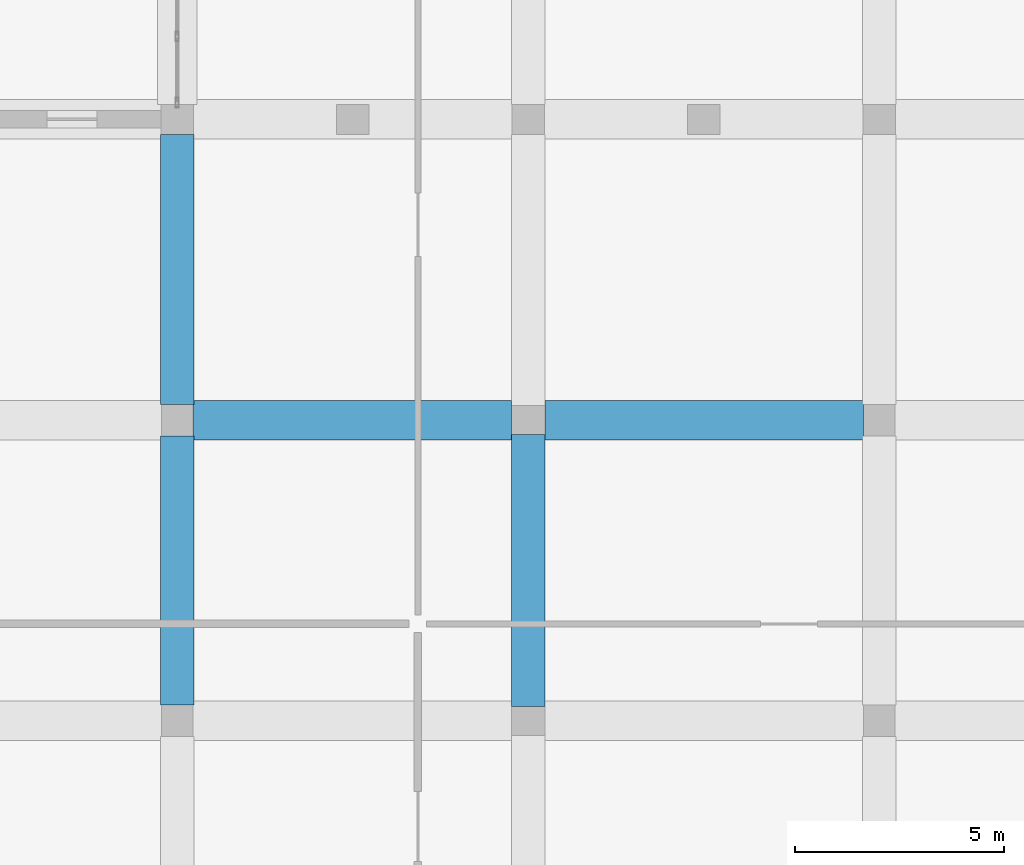
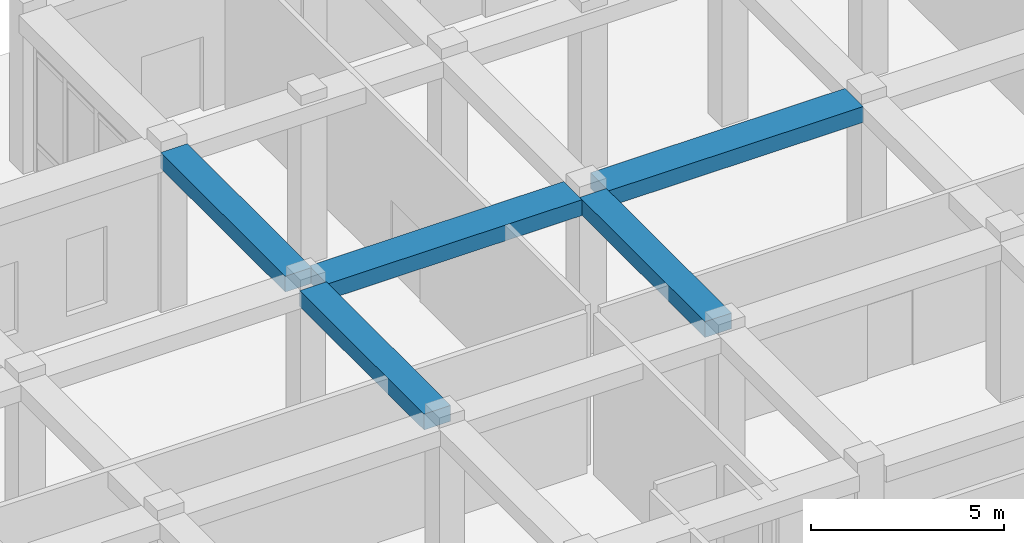
# One storey, part 33 of 84: 5 beams.
"""IFC4 building model written with IfcOpenShell, lengths in metres."""

from ifc_helpers import new_model, si_unit, derived_unit, direction, frame, origin, origin_2d, place, context, subcontext, project, spatial, rectangle, extrude, material, material_profile, profile_set, type_object, element, save


model = new_model("IFC4")

# Units and contexts
model_context = context("Model", 3, precision=1e-05, world=origin(), true_north=direction((0.0, 1.0)))
body_context = subcontext(model_context, "Body", "Model", "MODEL_VIEW")
ifc_project = project(units=[si_unit("LENGTHUNIT", "METRE"), si_unit("AREAUNIT", "SQUARE_METRE"), si_unit("VOLUMEUNIT", "CUBIC_METRE"), si_unit("PLANEANGLEUNIT", "RADIAN"), si_unit("MASSUNIT", "GRAM", prefix="KILO"), derived_unit("THERMALTRANSMITTANCEUNIT", [(si_unit("POWERUNIT", "WATT"), 1), (si_unit("LENGTHUNIT", "METRE"), -2), (si_unit("THERMODYNAMICTEMPERATUREUNIT", "KELVIN"), -1)])], contexts=[model_context])

# Site, building, storey
site_placement = place(None, origin())
site = spatial("IfcSite", under=ifc_project, at=site_placement, CompositionType="ELEMENT")
building_placement = place(site_placement, origin())
building = spatial("IfcBuilding", under=site, at=building_placement, Name="Veybourne Emporium", CompositionType="ELEMENT")
storey_placement = place(building_placement, origin())
storey = spatial("IfcBuildingStorey", under=building, at=storey_placement, Name="L00", CompositionType="ELEMENT", Elevation=0.0)

# Beams
ifc_material = material(Name="Concrete C32/40", Category="concrete")
ifc_material_profile_1 = material_profile(ifc_material, rectangle(XDim=0.949951171875, YDim=0.5, at=origin_2d()), Name="RC 950x500")
ifc_profile_set_1 = profile_set([ifc_material_profile_1], Name="Concrete C32/40")
beam_type_1 = type_object("IfcBeamType", Name="RCBeam_BB-01", PredefinedType="BEAM", material=ifc_profile_set_1)
for number, where, z_axis, x_axis, name in (
    (1, (50.77490234375, 100.800048828125, 4.830078125), (1.0, 0.0, 0.0), (0.0, 1.0, 0.0), "L00 X-grid beam BB-01 (6,14)"),
    (2, (59.199951171875, 100.800048828125, 4.830078125), (1.0, 0.0, 0.0), (0.0, 1.0, 0.0), "L00 X-grid beam BB-01 (7,14)"),
):
    element("IfcBeam", number, at=place(storey_placement, frame(where, z_axis=z_axis, x_axis=x_axis)), inside=storey, type_object=beam_type_1, Name=name, PredefinedType="BEAM", context=body_context, shape_type="SweptSolid", body=[
        extrude(rectangle(XDim=0.949951171875, YDim=0.5, at=origin_2d()), origin(), (0.0, 0.0, 1.0), 7.625),
    ])
ifc_material_profile_2 = material_profile(ifc_material, rectangle(XDim=0.800048828125, YDim=0.5, at=origin_2d()), Name="RC 800x500")
ifc_profile_set_2 = profile_set([ifc_material_profile_2], Name="Concrete C32/40")
beam_type_2 = type_object("IfcBeamType", Name="RCBeam_BB-02", PredefinedType="BEAM", material=ifc_profile_set_2)
beam_1_placement = place(storey_placement, frame((50.39990234375, 93.97509765625, 4.830078125), z_axis=(0.0, 1.0, 0.0), x_axis=(-1.0, 0.0, 0.0)))
element("IfcBeam", 3, at=beam_1_placement, inside=storey, type_object=beam_type_2, Name="L00 Y-grid beam BB-02 (6,13)", PredefinedType="BEAM", context=body_context, shape_type="SweptSolid", body=[
    extrude(rectangle(XDim=0.800048828125, YDim=0.5, at=origin_2d()), origin(), (0.0, 0.0, 1.0), 6.449951171875),
])
beam_2_placement = place(storey_placement, frame((50.39990234375, 101.175048828125, 4.830078125), z_axis=(0.0, 1.0, 0.0), x_axis=(-1.0, 0.0, 0.0)))
element("IfcBeam", 4, at=beam_2_placement, inside=storey, type_object=beam_type_2, Name="L00 Y-grid beam BB-02 (6,14)", PredefinedType="BEAM", context=body_context, shape_type="SweptSolid", body=[
    extrude(rectangle(XDim=0.800048828125, YDim=0.5, at=origin_2d()), origin(), (0.0, 0.0, 1.0), 6.46484375),
])
beam_3_placement = place(storey_placement, frame((58.800048828125, 93.949951171875, 4.830078125), z_axis=(0.0, 1.0, 0.0), x_axis=(-1.0, 0.0, 0.0)))
element("IfcBeam", 5, at=beam_3_placement, inside=storey, type_object=beam_type_2, Name="L00 Y-grid beam BB-02 (7,13)", PredefinedType="BEAM", context=body_context, shape_type="SweptSolid", body=[
    extrude(rectangle(XDim=0.800048828125, YDim=0.5, at=origin_2d()), origin(), (0.0, 0.0, 1.0), 6.5),
])

save(model, "model.ifc")
